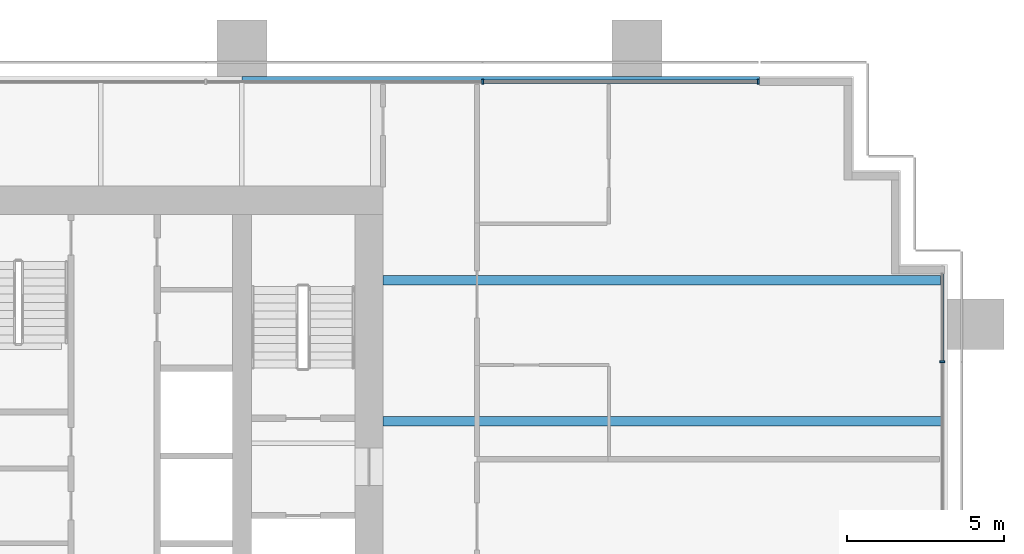
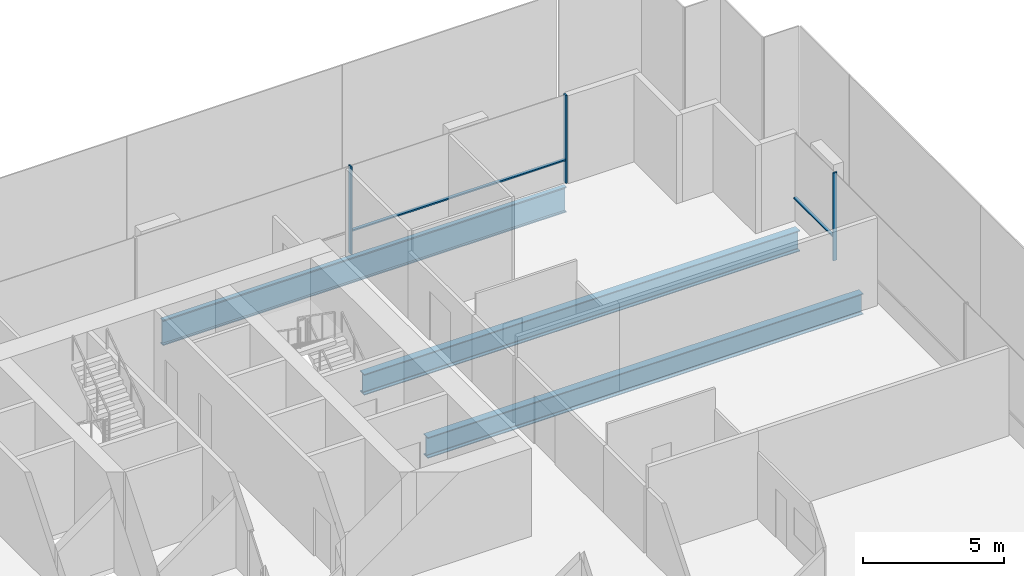
# One storey, part 10 of 19: 5 members, 3 beams, 2 elements without a shape of their own.
"""IFC4 building model written with IfcOpenShell, lengths in metres."""

from ifc_helpers import new_model, si_unit, direction, frame, origin, origin_2d, place, context, subcontext, project, spatial, rectangle, i_section, extrude, material, material_profile, profile_set, type_object, element, aggregate, save


model = new_model("IFC4")

# Units and contexts
model_context = context("Model", 3, precision=1e-05, world=origin(), true_north=direction((0.0, 1.0)))
body_context = subcontext(model_context, "Body", "Model", "MODEL_VIEW")
ifc_project = project(units=[si_unit("LENGTHUNIT", "METRE"), si_unit("AREAUNIT", "SQUARE_METRE"), si_unit("VOLUMEUNIT", "CUBIC_METRE"), si_unit("PLANEANGLEUNIT", "RADIAN"), si_unit("MASSUNIT", "GRAM", prefix="KILO")], contexts=[model_context])

# Site, building, storey
site_placement = place(None, origin())
site = spatial("IfcSite", under=ifc_project, at=site_placement, CompositionType="ELEMENT")
building_placement = place(site_placement, origin())
building = spatial("IfcBuilding", under=site, at=building_placement, Name="Rattan Terrace Tower", CompositionType="ELEMENT")
storey_placement = place(building_placement, frame((0.0, 0.0, 103.699951171875)))
storey = spatial("IfcBuildingStorey", under=building, at=storey_placement, Name="L23", CompositionType="ELEMENT", Elevation=103.699951171875)

# Curtain wall, member
ifc_material_1 = material(Name="Aluminium and glass", Category="aluminium")
curtain_wall_type = type_object("IfcCurtainWallType", Name="Facade Unitised Curtain Wall", PredefinedType="NOTDEFINED", material=ifc_material_1)
curtain_wall_1_placement = place(storey_placement, origin())
curtain_wall_1 = element("IfcCurtainWall", 1, at=curtain_wall_1_placement, inside=storey, type_object=curtain_wall_type, Name="Curtain wall L23-1", PredefinedType="NOTDEFINED")
ifc_material_2 = material(Name="Aluminium", Category="aluminium")
ifc_material_profile_1 = material_profile(ifc_material_2, rectangle(XDim=0.06005859375, YDim=0.159912109375, at=origin_2d()), Name="Aluminium 60x160")
ifc_profile_set_1 = profile_set([ifc_material_profile_1], Name="Aluminium")
member_type_1 = type_object("IfcMemberType", Name="Facade CW Mullion 60x160", PredefinedType="MULLION", material=ifc_profile_set_1)
member_1_placement = place(storey_placement, frame((35.830078125, 1.89990234375, 0.0), z_axis=(0.0, 0.0, 1.0), x_axis=(0.0, 1.0, 0.0)))
member_1 = element("IfcMember", 2, at=member_1_placement, type_object=member_type_1, Name="Mullion cwl-L23-001.4", PredefinedType="MULLION", context=body_context, shape_type="SweptSolid", body=[
    extrude(rectangle(XDim=0.06005859375, YDim=0.159912109375, at=origin_2d()), origin(), (0.0, 0.0, 1.0), 3.800048828125),
])

# Curtain wall, members
curtain_wall_2_placement = place(storey_placement, origin())
curtain_wall_2 = element("IfcCurtainWall", 3, at=curtain_wall_2_placement, inside=storey, type_object=curtain_wall_type, Name="Curtain wall L23-2", PredefinedType="NOTDEFINED")
member_2_placement = place(storey_placement, frame((29.969970703125, 10.830078125, 0.0), z_axis=(0.0, 0.0, 1.0), x_axis=(-1.0, 0.0, 0.0)))
member_2 = element("IfcMember", 4, at=member_2_placement, type_object=member_type_1, Name="Mullion cwl-L23-002.1", PredefinedType="MULLION", context=body_context, shape_type="SweptSolid", body=[
    extrude(rectangle(XDim=0.06005859375, YDim=0.159912109375, at=origin_2d()), origin(), (0.0, 0.0, 1.0), 3.800048828125),
])
member_3_placement = place(storey_placement, frame((21.177001953125, 10.830078125, 0.0), z_axis=(0.0, 0.0, 1.0), x_axis=(-1.0, 0.0, 0.0)))
member_3 = element("IfcMember", 5, at=member_3_placement, type_object=member_type_1, Name="Mullion cwl-L23-002.2", PredefinedType="MULLION", context=body_context, shape_type="SweptSolid", body=[
    extrude(rectangle(XDim=0.06005859375, YDim=0.159912109375, at=origin_2d()), origin(), (0.0, 0.0, 1.0), 3.800048828125),
])

# Member
ifc_material_3 = material(Name="Aluminium", Category="aluminium")
ifc_material_profile_2 = material_profile(ifc_material_3, rectangle(XDim=0.1201171875, YDim=0.06005859375, at=origin_2d()), Name="Aluminium 120x60")
ifc_profile_set_2 = profile_set([ifc_material_profile_2], Name="Aluminium")
member_type_2 = type_object("IfcMemberType", Name="Facade CW Transom 120x60", PredefinedType="USERDEFINED", material=ifc_profile_set_2)
member_4_placement = place(storey_placement, frame((35.830078125, 1.929931640625, 1.0), z_axis=(0.0, 1.0, 0.0), x_axis=(-1.0, 0.0, 0.0)))
member_4 = element("IfcMember", 6, at=member_4_placement, type_object=member_type_2, Name="Transom cwl-L23-001.4", ObjectType="TRANSOM", PredefinedType="USERDEFINED", context=body_context, shape_type="SweptSolid", body=[
    extrude(rectangle(XDim=0.1201171875, YDim=0.06005859375, at=origin_2d()), origin(), (0.0, 0.0, 1.0), 2.775146484375),
])

aggregate(curtain_wall_1, [member_1, member_4])

member_5_placement = place(storey_placement, frame((29.93994140625, 10.830078125, 1.0), z_axis=(-1.0, 0.0, 0.0), x_axis=(0.0, -1.0, 0.0)))
member_5 = element("IfcMember", 7, at=member_5_placement, type_object=member_type_2, Name="Transom cwl-L23-002.1", ObjectType="TRANSOM", PredefinedType="USERDEFINED", context=body_context, shape_type="SweptSolid", body=[
    extrude(rectangle(XDim=0.1201171875, YDim=0.06005859375, at=origin_2d()), origin(), (0.0, 0.0, 1.0), 8.73291015625),
])

aggregate(curtain_wall_2, [member_2, member_3, member_5])

# Beams
ifc_material_4 = material(Name="Steel S460", Category="steel")
ifc_material_profile_3 = material_profile(ifc_material_4, i_section(OverallWidth=0.179931640625, OverallDepth=1.10009765625, WebThickness=0.01611328125, FlangeThickness=0.050048828125, at=origin_2d()), Name="PG 1100x180-16-50")
ifc_profile_set_3 = profile_set([ifc_material_profile_3], Name="Steel S460")
beam_type_1 = type_object("IfcBeamType", Name="Frame edge girder PG 1100x180-16-50", PredefinedType="SPANDREL", material=ifc_profile_set_3)
beam_placement = place(storey_placement, frame((30.0, 10.909912109375, -0.75), z_axis=(-1.0, 0.0, 0.0), x_axis=(0.0, -1.0, 0.0)))
element("IfcBeam", 8, at=beam_placement, inside=storey, type_object=beam_type_1, Name="gdr-L23-008", PredefinedType="SPANDREL", context=body_context, shape_type="SweptSolid", body=[
    extrude(i_section(OverallWidth=0.179931640625, OverallDepth=1.10009765625, WebThickness=0.01611328125, FlangeThickness=0.050048828125, at=origin_2d()), origin(), (0.0, 0.0, 1.0), 16.5),
])
ifc_material_5 = material(Name="Steel S355", Category="steel")
ifc_material_profile_4 = material_profile(ifc_material_5, i_section(OverallWidth=0.300048828125, OverallDepth=0.89990234375, WebThickness=0.0185546875, FlangeThickness=0.034912109375, FilletRadius=0.030029296875, at=origin_2d()), Name="HE 900 B")
ifc_profile_set_4 = profile_set([ifc_material_profile_4], Name="Steel S355")
beam_type_2 = type_object("IfcBeamType", Name="Frame floor beam HE 900 B", PredefinedType="JOIST", material=ifc_profile_set_4)
for number, where, z_axis, x_axis, name in (
    (9, (18.0, 0.0, -0.64990234375), (1.0, 0.0, 0.0), (0.0, 1.0, 0.0), "bm-L23-015"),
    (10, (18.0, 4.5, -0.64990234375), (1.0, 0.0, 0.0), (0.0, 1.0, 0.0), "bm-L23-017"),
):
    element("IfcBeam", number, at=place(storey_placement, frame(where, z_axis=z_axis, x_axis=x_axis)), inside=storey, type_object=beam_type_2, Name=name, PredefinedType="JOIST", context=body_context, shape_type="SweptSolid", body=[
        extrude(i_section(OverallWidth=0.300048828125, OverallDepth=0.89990234375, WebThickness=0.0185546875, FlangeThickness=0.034912109375, FilletRadius=0.030029296875, at=origin_2d()), origin(), (0.0, 0.0, 1.0), 17.820068359375),
    ])

save(model, "model.ifc")
